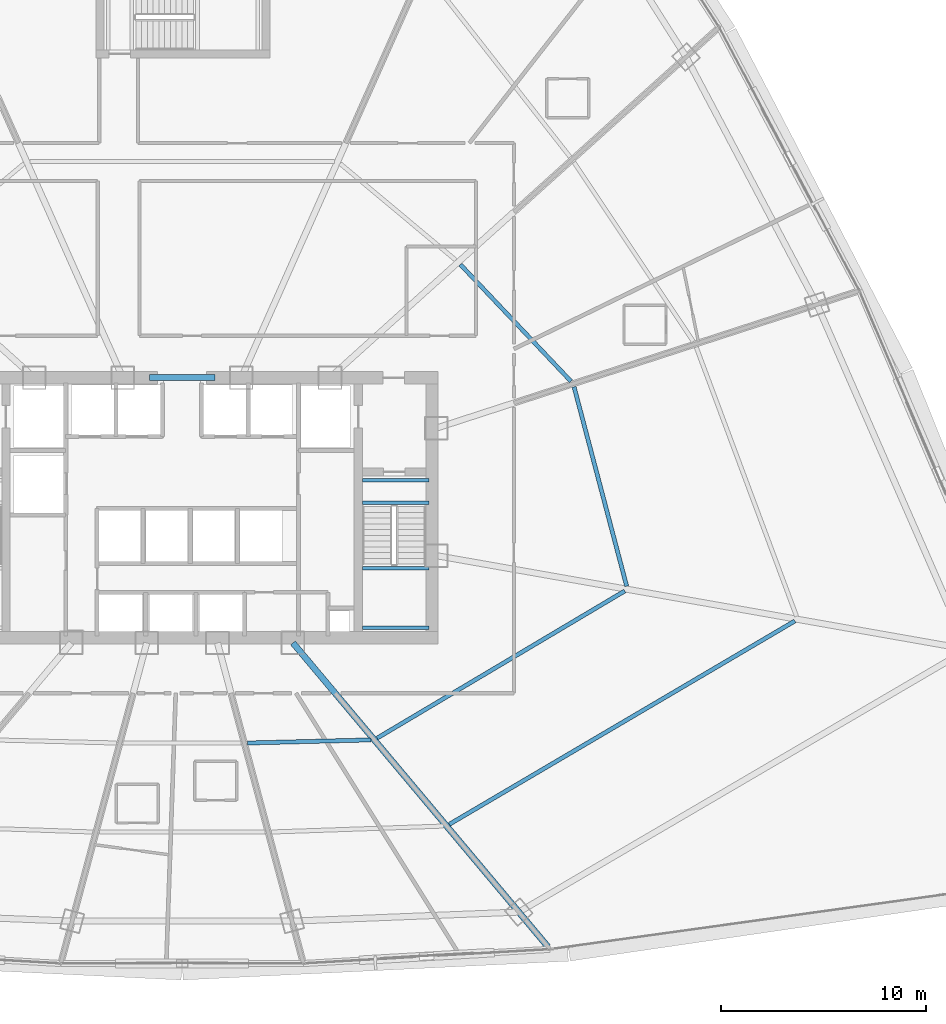
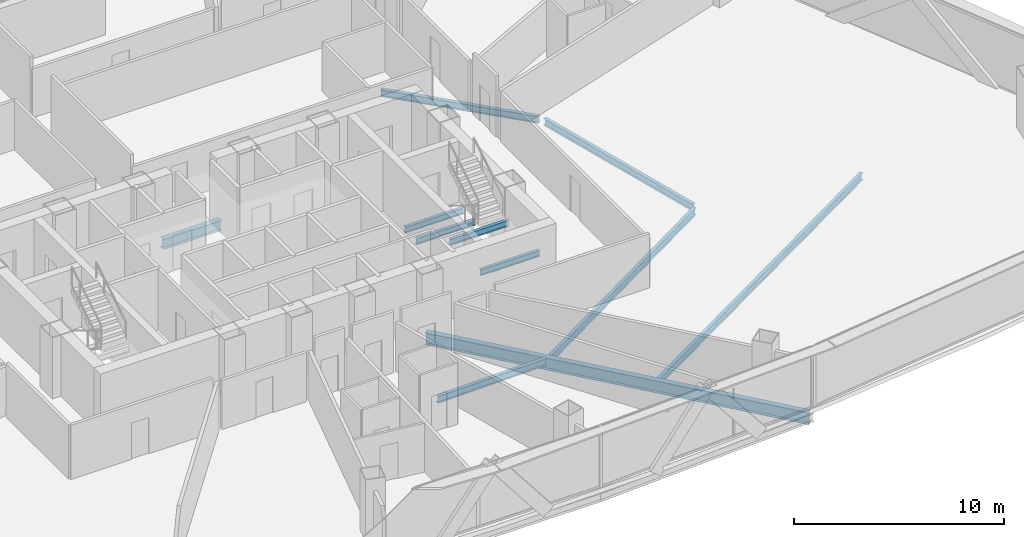
# One storey, part 13 of 37: 11 beams.
"""IFC4 building model written with IfcOpenShell, lengths in metres."""

from ifc_helpers import new_model, si_unit, direction, frame, origin, origin_2d, place, context, subcontext, project, spatial, i_section, extrude, source, transform, mapped, material, material_profile, profile_set, type_object, element, save


model = new_model("IFC4")

# Units and contexts
model_context = context("Model", 3, precision=1e-05, world=origin(), true_north=direction((0.0, 1.0)))
body_context = subcontext(model_context, "Body", "Model", "MODEL_VIEW")
ifc_project = project(units=[si_unit("LENGTHUNIT", "METRE"), si_unit("AREAUNIT", "SQUARE_METRE"), si_unit("VOLUMEUNIT", "CUBIC_METRE"), si_unit("PLANEANGLEUNIT", "RADIAN"), si_unit("MASSUNIT", "GRAM", prefix="KILO"), si_unit("THERMODYNAMICTEMPERATUREUNIT", "KELVIN"), si_unit("POWERUNIT", "WATT")], contexts=[model_context])

# Site, building, storey
site_placement = place(None, origin())
site = spatial("IfcSite", under=ifc_project, at=site_placement, CompositionType="ELEMENT")
building_placement = place(site_placement, origin())
building = spatial("IfcBuilding", under=site, at=building_placement, Name="Yunzhuo Pagoda Commons", CompositionType="ELEMENT")
storey_placement = place(building_placement, frame((0.0, 0.0, 84.97998046875)))
storey = spatial("IfcBuildingStorey", under=building, at=storey_placement, Name="L21", CompositionType="ELEMENT", Elevation=84.97998046875)

# Beams
ifc_material_1 = material(Name="Structural steel Q355B", Category="steel")
ifc_material_profile_1 = material_profile(ifc_material_1, i_section(OverallWidth=0.175048828125, OverallDepth=0.35009765625, WebThickness=0.007080078125, FlangeThickness=0.010986328125, at=origin_2d()), Name="Structural steel Q355B")
ifc_profile_set_1 = profile_set([ifc_material_profile_1], Name="Structural steel Q355B")
beam_type_1 = type_object("IfcBeamType", Name="B-JS2 Joist HN 350x175x7x11", PredefinedType="JOIST", material=ifc_profile_set_1)
shared_shape_1 = source(origin(), body_context, "Body", "SweptSolid", [
    extrude(i_section(OverallWidth=0.175048828125, OverallDepth=0.35009765625, WebThickness=0.007080078125, FlangeThickness=0.010986328125, at=origin_2d()), origin(), (0.0, 0.0, 1.0), 3.25),
])
for number, where, z_axis, x_axis, name in (
    (1, (56.800048828125, 28.0, 1.52490234375), (1.0, 0.0, 0.0), (0.0, 1.0, 0.0), "L21 ST2 landing support beam 27A"),
    (2, (56.800048828125, 30.89990234375, 1.52490234375), (1.0, 0.0, 0.0), (0.0, 1.0, 0.0), "L21 ST2 landing support beam 27B"),
    (3, (56.800048828125, 34.10009765625, -0.374755859375), (1.0, 0.0, 0.0), (0.0, 1.0, 0.0), "L21 ST2 landing support beam 125A"),
    (4, (56.800048828125, 35.199951171875, -0.374755859375), (1.0, 0.0, 0.0), (0.0, 1.0, 0.0), "L21 ST2 landing support beam 125B"),
):
    element("IfcBeam", number, at=place(storey_placement, frame(where, z_axis=z_axis, x_axis=x_axis)), inside=storey, type_object=beam_type_1, Name=name, PredefinedType="JOIST", context=body_context, shape_type="MappedRepresentation", body=[
        mapped(shared_shape_1, transform((0.0, 0.0, 0.0), scale=1.0)),
    ])
ifc_material_2 = material(Name="Structural steel Q420B", Category="steel")
ifc_material_profile_2 = material_profile(ifc_material_2, i_section(OverallWidth=0.300048828125, OverallDepth=0.587890625, WebThickness=0.011962890625, FlangeThickness=0.02001953125, at=origin_2d()), Name="Structural steel Q420B")
ifc_profile_set_2 = profile_set([ifc_material_profile_2], Name="Structural steel Q420B")
beam_type_2 = type_object("IfcBeamType", Name="B-CPL Beam HM 588x300x12x20", PredefinedType="BEAM", material=ifc_profile_set_2)
shared_shape_2 = source(origin(), body_context, "Body", "SweptSolid", [
    extrude(i_section(OverallWidth=0.300048828125, OverallDepth=0.587890625, WebThickness=0.011962890625, FlangeThickness=0.02001953125, at=origin_2d()), origin(), (0.0, 0.0, 1.0), 3.2001953125),
])
beam_1_placement = place(storey_placement, frame((46.39990234375, 40.199951171875, -0.553955078125), z_axis=(1.0, 0.0, 0.0), x_axis=(0.0, 1.0, 0.0)))
element("IfcBeam", 5, at=beam_1_placement, inside=storey, type_object=beam_type_2, Name="L21 core coupling girder", PredefinedType="BEAM", context=body_context, shape_type="MappedRepresentation", body=[
    mapped(shared_shape_2, transform((0.0, 0.0, 0.0), scale=1.0)),
])
ifc_material_profile_3 = material_profile(ifc_material_1, i_section(OverallWidth=0.300048828125, OverallDepth=0.699951171875, WebThickness=0.012939453125, FlangeThickness=0.02392578125, at=origin_2d()), Name="Structural steel Q355B")
ifc_profile_set_3 = profile_set([ifc_material_profile_3], Name="Structural steel Q355B")
beam_type_3 = type_object("IfcBeamType", Name="B-RG1 Beam HN 700x300x13x24", PredefinedType="BEAM", material=ifc_profile_set_3)
shared_shape_3 = source(origin(), body_context, "Body", "SweptSolid", [
    extrude(i_section(OverallWidth=0.300048828125, OverallDepth=0.699951171875, WebThickness=0.012939453125, FlangeThickness=0.02392578125, at=origin_2d()), origin(), (0.0, 0.0, 1.0), 19.369140625),
])
beam_2_placement = place(storey_placement, frame((65.862548828125, 12.41259765625, -0.60986328125), z_axis=(-0.642799141194, 0.766034766887, 0.0), x_axis=(-0.766034766887, -0.642799141194, 0.0)))
element("IfcBeam", 6, at=beam_2_placement, inside=storey, type_object=beam_type_3, Name="L21 radial floor girder F1C4", PredefinedType="BEAM", context=body_context, shape_type="MappedRepresentation", body=[
    mapped(shared_shape_3, transform((0.0, 0.0, 0.0), scale=1.0)),
])
ifc_material_profile_4 = material_profile(ifc_material_1, i_section(OverallWidth=0.199951171875, OverallDepth=0.39990234375, WebThickness=0.008056640625, FlangeThickness=0.012939453125, at=origin_2d()), Name="Structural steel Q355B")
ifc_profile_set_4 = profile_set([ifc_material_profile_4], Name="Structural steel Q355B")
beam_type_4 = type_object("IfcBeamType", Name="B-JS1 Joist HN 400x200x8x13", PredefinedType="JOIST", material=ifc_profile_set_4)
shared_shape_4 = source(origin(), body_context, "Body", "SweptSolid", [
    extrude(i_section(OverallWidth=0.199951171875, OverallDepth=0.39990234375, WebThickness=0.008056640625, FlangeThickness=0.012939453125, at=origin_2d()), origin(), (0.0, 0.0, 1.0), 6.026611328125),
])
beam_3_placement = place(storey_placement, frame((51.197265625, 22.364501953125, -0.459716796875), z_axis=(0.99968248871, 0.025197654009, 0.0), x_axis=(-0.025197654009, 0.99968248871, 0.0)))
element("IfcBeam", 7, at=beam_3_placement, inside=storey, type_object=beam_type_4, Name="L21 composite ring joist 1.3", PredefinedType="JOIST", context=body_context, shape_type="MappedRepresentation", body=[
    mapped(shared_shape_4, transform((0.0, 0.0, 0.0), scale=1.0)),
])
shared_shape_5 = source(origin(), body_context, "Body", "SweptSolid", [
    extrude(i_section(OverallWidth=0.199951171875, OverallDepth=0.39990234375, WebThickness=0.008056640625, FlangeThickness=0.012939453125, at=origin_2d()), origin(), (0.0, 0.0, 1.0), 14.061767578125),
])
beam_4_placement = place(storey_placement, frame((57.517578125, 22.601806640625, -0.459716796875), z_axis=(0.859683443923, 0.510827149088, 0.0), x_axis=(-0.510827149088, 0.859683443923, 0.0)))
element("IfcBeam", 8, at=beam_4_placement, inside=storey, type_object=beam_type_4, Name="L21 composite ring joist 1.4", PredefinedType="JOIST", context=body_context, shape_type="MappedRepresentation", body=[
    mapped(shared_shape_5, transform((0.0, 0.0, 0.0), scale=1.0)),
])
shared_shape_6 = source(origin(), body_context, "Body", "SweptSolid", [
    extrude(i_section(OverallWidth=0.199951171875, OverallDepth=0.39990234375, WebThickness=0.008056640625, FlangeThickness=0.012939453125, at=origin_2d()), origin(), (0.0, 0.0, 1.0), 19.568603515625),
])
beam_5_placement = place(storey_placement, frame((61.04541015625, 18.39697265625, -0.459716796875), z_axis=(0.861862685393, 0.50714170754, 0.0), x_axis=(-0.50714170754, 0.861862685393, 0.0)))
element("IfcBeam", 9, at=beam_5_placement, inside=storey, type_object=beam_type_4, Name="L21 composite ring joist 2.4", PredefinedType="JOIST", context=body_context, shape_type="MappedRepresentation", body=[
    mapped(shared_shape_6, transform((0.0, 0.0, 0.0), scale=1.0)),
])
shared_shape_7 = source(origin(), body_context, "Body", "SweptSolid", [
    extrude(i_section(OverallWidth=0.199951171875, OverallDepth=0.39990234375, WebThickness=0.008056640625, FlangeThickness=0.012939453125, at=origin_2d()), origin(), (0.0, 0.0, 1.0), 10.0634765625),
])
beam_6_placement = place(storey_placement, frame((69.702392578125, 30.019775390625, -0.459716796875), z_axis=(-0.255289713136, 0.966864603948, 0.0), x_axis=(-0.966864603948, -0.255289713136, 0.0)))
element("IfcBeam", 10, at=beam_6_placement, inside=storey, type_object=beam_type_4, Name="L21 composite ring joist 1.5", PredefinedType="JOIST", context=body_context, shape_type="MappedRepresentation", body=[
    mapped(shared_shape_7, transform((0.0, 0.0, 0.0), scale=1.0)),
])
shared_shape_8 = source(origin(), body_context, "Body", "SweptSolid", [
    extrude(i_section(OverallWidth=0.199951171875, OverallDepth=0.39990234375, WebThickness=0.008056640625, FlangeThickness=0.012939453125, at=origin_2d()), origin(), (0.0, 0.0, 1.0), 7.85009765625),
])
beam_7_placement = place(storey_placement, frame((66.9833984375, 40.01904296875, -0.459716796875), z_axis=(-0.687513423145, 0.726171669095, 0.0), x_axis=(-0.726171669095, -0.687513423145, 0.0)))
element("IfcBeam", 11, at=beam_7_placement, inside=storey, type_object=beam_type_4, Name="L21 composite ring joist 1.6", PredefinedType="JOIST", context=body_context, shape_type="MappedRepresentation", body=[
    mapped(shared_shape_8, transform((0.0, 0.0, 0.0), scale=1.0)),
])

save(model, "model.ifc")
